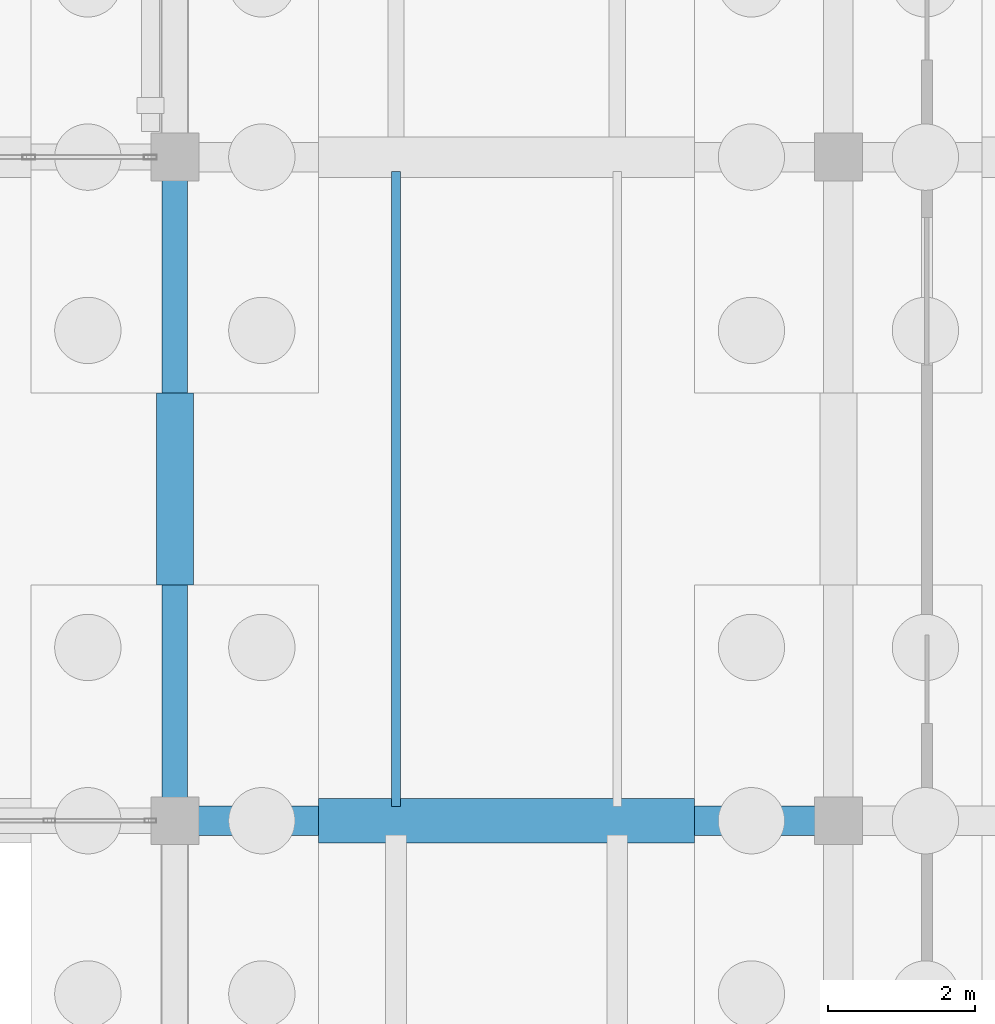
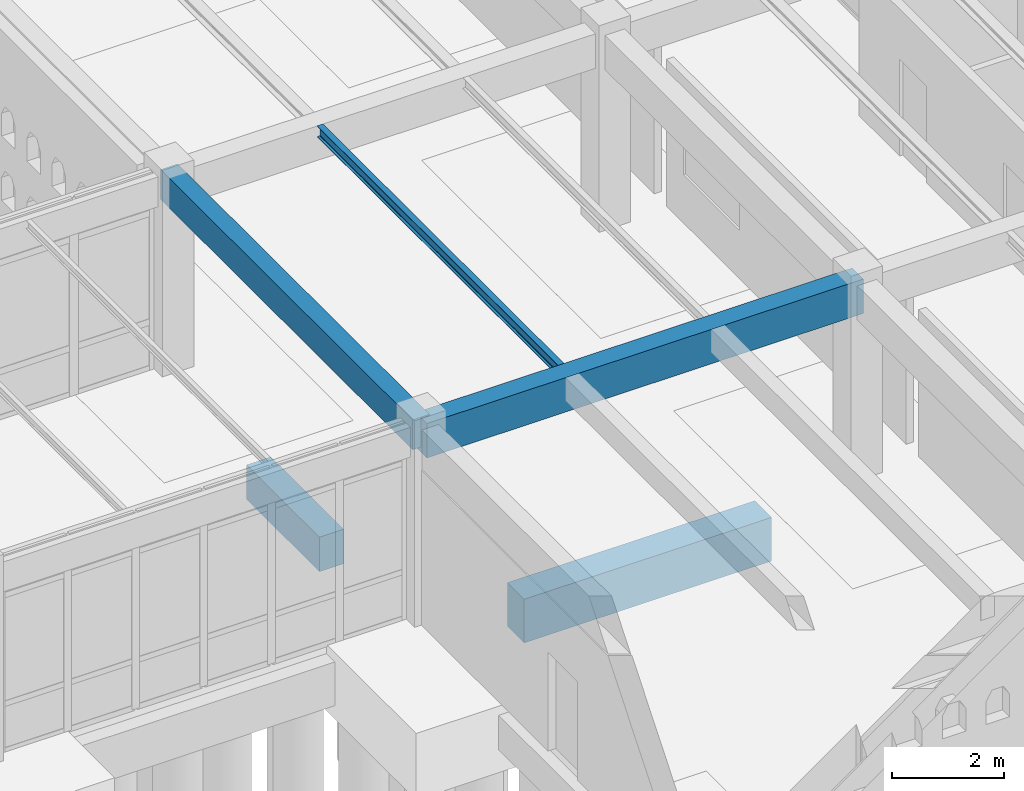
# One storey, part 111 of 186: 5 beams.
"""IFC4 building model written with IfcOpenShell, lengths in metres."""

from ifc_helpers import new_model, si_unit, direction, frame, origin, origin_2d, place, context, subcontext, project, spatial, rectangle, i_section, extrude, material, material_profile, profile_set, type_object, element, save


model = new_model("IFC4")

# Units and contexts
model_context = context("Model", 3, precision=1e-05, world=origin(), true_north=direction((0.0, 1.0)))
body_context = subcontext(model_context, "Body", "Model", "MODEL_VIEW")
ifc_project = project(units=[si_unit("LENGTHUNIT", "METRE"), si_unit("AREAUNIT", "SQUARE_METRE"), si_unit("VOLUMEUNIT", "CUBIC_METRE"), si_unit("PLANEANGLEUNIT", "RADIAN"), si_unit("MASSUNIT", "GRAM", prefix="KILO")], contexts=[model_context])

# Site, building, storey
site_placement = place(None, origin())
site = spatial("IfcSite", under=ifc_project, at=site_placement, CompositionType="ELEMENT")
building_placement = place(site_placement, origin())
building = spatial("IfcBuilding", under=site, at=building_placement, Name="Ornek Quay Market", CompositionType="ELEMENT")
storey_placement = place(building_placement, origin())
storey = spatial("IfcBuildingStorey", under=building, at=storey_placement, Name="L00", CompositionType="ELEMENT", Elevation=0.0)

# Beams
ifc_material_1 = material(Name="Concrete C35/45", Category="concrete")
ifc_material_profile_1 = material_profile(ifc_material_1, rectangle(XDim=0.35009765625, YDim=0.64990234375, at=origin_2d()), Name="RC 350x650", Category="concrete")
ifc_profile_set_1 = profile_set([ifc_material_profile_1], Name="Concrete C35/45")
beam_type_1 = type_object("IfcBeamType", Name="BM-CONC-350x650", PredefinedType="BEAM", material=ifc_profile_set_1)
beam_1_placement = place(storey_placement, frame((153.0, 20.0, 3.945068359375), z_axis=(0.0, 1.0, 0.0), x_axis=(-1.0, 0.0, 0.0)))
element("IfcBeam", 1, at=beam_1_placement, inside=storey, type_object=beam_type_1, Name="Primary beam B-CN1-096", PredefinedType="BEAM", context=body_context, shape_type="SweptSolid", body=[
    extrude(rectangle(XDim=0.35009765625, YDim=0.64990234375, at=origin_2d()), origin(), (0.0, 0.0, 1.0), 9.0),
])
ifc_material_profile_2 = material_profile(ifc_material_1, rectangle(XDim=0.39990234375, YDim=0.75, at=origin_2d()), Name="RC 400x750", Category="concrete")
ifc_profile_set_2 = profile_set([ifc_material_profile_2], Name="Concrete C35/45")
beam_type_2 = type_object("IfcBeamType", Name="BM-CS-400x750", PredefinedType="BEAM", material=ifc_profile_set_2)
beam_2_placement = place(storey_placement, frame((153.0, 20.0, 3.875), z_axis=(1.0, 0.0, 0.0), x_axis=(0.0, 1.0, 0.0)))
element("IfcBeam", 2, at=beam_2_placement, inside=storey, type_object=beam_type_2, Name="Primary beam B-CS1-001", PredefinedType="BEAM", context=body_context, shape_type="SweptSolid", body=[
    extrude(rectangle(XDim=0.39990234375, YDim=0.75, at=origin_2d()), origin(), (0.0, 0.0, 1.0), 9.0),
])
ifc_material_profile_3 = material_profile(ifc_material_1, rectangle(XDim=0.5, YDim=0.75, at=origin_2d()), Name="RC 500x750", Category="concrete")
ifc_profile_set_3 = profile_set([ifc_material_profile_3], Name="Concrete C35/45")
beam_type_3 = type_object("IfcBeamType", Name="BM-GB-500x750", PredefinedType="BEAM", material=ifc_profile_set_3)
beam_3_placement = place(storey_placement, frame((153.0, 23.199951171875, -0.574951171875), z_axis=(0.0, 1.0, 0.0), x_axis=(-1.0, 0.0, 0.0)))
element("IfcBeam", 3, at=beam_3_placement, inside=storey, type_object=beam_type_3, Name="Ground tie beam GB-389", PredefinedType="BEAM", context=body_context, shape_type="SweptSolid", body=[
    extrude(rectangle(XDim=0.5, YDim=0.75, at=origin_2d()), origin(), (0.0, 0.0, 1.0), 2.60009765625),
])
ifc_material_profile_4 = material_profile(ifc_material_1, rectangle(XDim=0.60009765625, YDim=0.949951171875, at=origin_2d()), Name="RC 600x950", Category="concrete")
ifc_profile_set_4 = profile_set([ifc_material_profile_4], Name="Concrete C35/45")
beam_type_4 = type_object("IfcBeamType", Name="BM-GB-600x950", PredefinedType="BEAM", material=ifc_profile_set_4)
beam_4_placement = place(storey_placement, frame((154.949951171875, 20.0, -0.675048828125), z_axis=(1.0, 0.0, 0.0), x_axis=(0.0, 1.0, 0.0)))
element("IfcBeam", 4, at=beam_4_placement, inside=storey, type_object=beam_type_4, Name="Ground tie beam GB-310", PredefinedType="BEAM", context=body_context, shape_type="SweptSolid", body=[
    extrude(rectangle(XDim=0.60009765625, YDim=0.949951171875, at=origin_2d()), origin(), (0.0, 0.0, 1.0), 5.10009765625),
])
ifc_material_2 = material(Name="Steel S355", Category="steel")
ifc_material_profile_5 = material_profile(ifc_material_2, i_section(OverallWidth=0.1201171875, OverallDepth=0.239990234375, WebThickness=0.006103515625, FlangeThickness=0.009765625, FilletRadius=0.014892578125, at=origin_2d()), Name="IPE 240", Category="steel")
ifc_profile_set_5 = profile_set([ifc_material_profile_5], Name="Steel S355")
beam_type_5 = type_object("IfcBeamType", Name="BM-STL-IPE240", PredefinedType="JOIST", material=ifc_profile_set_5)
beam_5_placement = place(storey_placement, frame((156.0, 20.19189453125, 4.1298828125), z_axis=(0.0, 1.0, 0.0), x_axis=(-1.0, 0.0, 0.0)))
element("IfcBeam", 5, at=beam_5_placement, inside=storey, type_object=beam_type_5, Name="Secondary joist SB-04-035", PredefinedType="JOIST", context=body_context, shape_type="SweptSolid", body=[
    extrude(i_section(OverallWidth=0.1201171875, OverallDepth=0.239990234375, WebThickness=0.006103515625, FlangeThickness=0.009765625, FilletRadius=0.014892578125, at=origin_2d()), origin(), (0.0, 0.0, 1.0), 8.6162109375),
])

save(model, "model.ifc")
